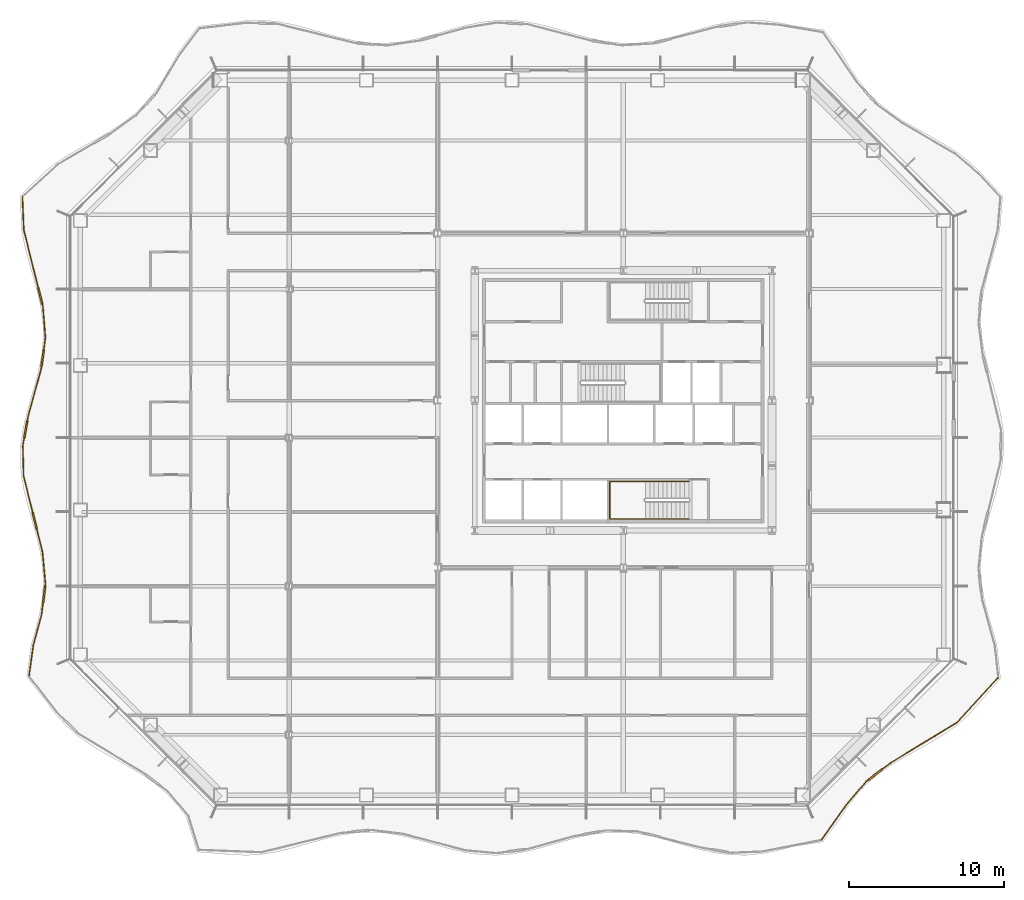
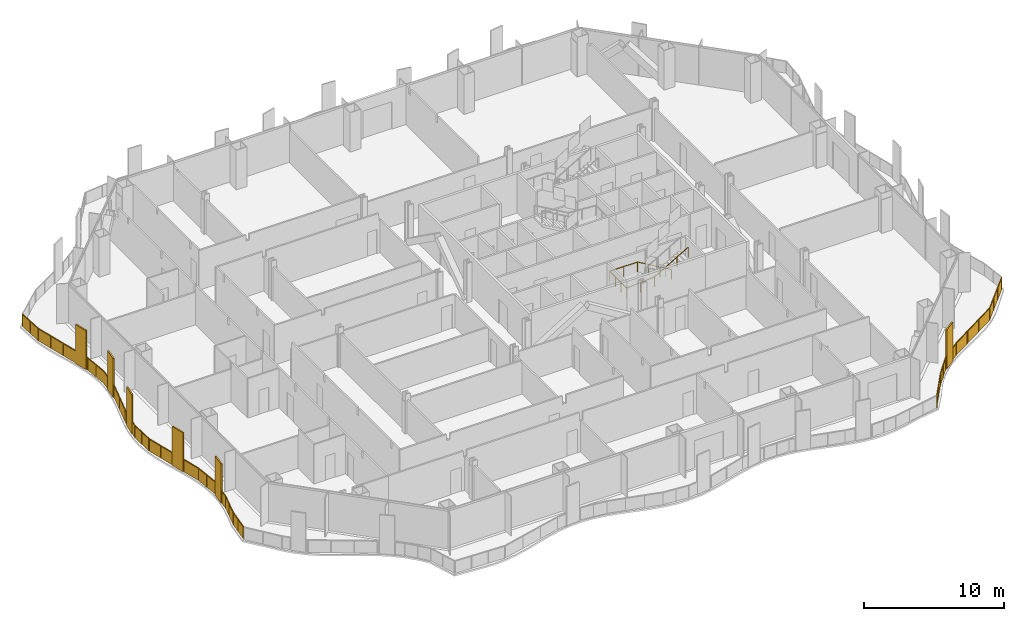
# One storey, part 14 of 18: 3 railings.
"""IFC4 building model written with IfcOpenShell, lengths in metres."""

from ifc_helpers import new_model, si_unit, direction, frame, origin, origin_2d, place, context, subcontext, project, spatial, polyline, rectangle, outline, extrude, material, type_object, element, save


model = new_model("IFC4")

# Units and contexts
model_context = context("Model", 3, precision=1e-05, world=origin(), true_north=direction((0.0, 1.0)))
body_context = subcontext(model_context, "Body", "Model", "MODEL_VIEW")
ifc_project = project(units=[si_unit("LENGTHUNIT", "METRE"), si_unit("AREAUNIT", "SQUARE_METRE"), si_unit("VOLUMEUNIT", "CUBIC_METRE"), si_unit("PLANEANGLEUNIT", "RADIAN"), si_unit("MASSUNIT", "GRAM", prefix="KILO")], contexts=[model_context])

# Site, building, storey
site_placement = place(None, origin())
site = spatial("IfcSite", under=ifc_project, at=site_placement, CompositionType="ELEMENT")
building_placement = place(site_placement, origin())
building = spatial("IfcBuilding", under=site, at=building_placement, Name="Cairn Pilgrim Tower", CompositionType="ELEMENT")
storey_placement = place(building_placement, frame((0.0, 0.0, 76.199951171875)))
storey = spatial("IfcBuildingStorey", under=building, at=storey_placement, Name="L17", CompositionType="ELEMENT", Elevation=76.199951171875)

# Railings
ifc_material_1 = material(Name="Bronze anodised aluminium rail, posts and fin screens with laminated glass infill", Category="aluminium")
railing_type_1 = type_object("IfcRailingType", Name="BALCONY GUARD WITH FIN SCREENS", PredefinedType="GUARDRAIL", material=ifc_material_1)
railing_1_placement = place(storey_placement, frame((19.995849609375, -25.996826171875, 0.0)))
element("IfcRailing", 1, at=railing_1_placement, inside=storey, type_object=railing_type_1, Name="Balcony guard BGF-2 with fin screens", PredefinedType="GUARDRAIL", context=body_context, shape_type="SweptSolid", body=[
    extrude(rectangle(XDim=0.050048828125, YDim=0.050048828125, at=origin_2d()), frame((0.0, 0.0, 1.0751953125), z_axis=(0.578901701454, 0.815397338758, 0.0), x_axis=(-0.815397338758, 0.578901701454, 0.0)), (0.0, 0.0, 1.0), 2.81005859375),
    extrude(rectangle(XDim=0.050048828125, YDim=0.050048828125, at=origin_2d()), frame((1.626708984375, 2.291259765625, 1.0751953125), z_axis=(0.650678985277, 0.759352920663, 0.0), x_axis=(-0.759352920663, 0.650678985277, 0.0)), (0.0, 0.0, 1.0), 1.968017578125),
    extrude(rectangle(XDim=1.10009765625, YDim=0.110107421875, at=origin_2d()), frame((3.464111328125, 4.209716796875, 0.0), z_axis=(0.0, 0.0, 1.0), x_axis=(0.79566082204, 0.605742400918, 0.0)), (0.0, 0.0, 1.0), 3.39990234375),
    extrude(rectangle(XDim=0.050048828125, YDim=0.050048828125, at=origin_2d()), frame((2.9072265625, 3.78564453125, 1.0751953125), z_axis=(0.79566082204, 0.605742400918, 0.0), x_axis=(-0.605742400918, 0.79566082204, 0.0)), (0.0, 0.0, 1.0), 0.150146484375),
    extrude(rectangle(XDim=0.050048828125, YDim=0.050048828125, at=origin_2d()), frame((3.90185546875, 4.542724609375, 1.0751953125), z_axis=(0.79566082204, 0.605742400918, 0.0), x_axis=(-0.605742400918, 0.79566082204, 0.0)), (0.0, 0.0, 1.0), 0.73095703125),
    extrude(rectangle(XDim=0.050048828125, YDim=0.050048828125, at=origin_2d()), frame((4.4833984375, 4.985595703125, 1.0751953125), z_axis=(0.854566756573, 0.51934156252, 0.0), x_axis=(-0.51934156252, 0.854566756573, 0.0)), (0.0, 0.0, 1.0), 4.977783203125),
    extrude(rectangle(XDim=0.050048828125, YDim=0.050048828125, at=origin_2d()), frame((8.7373046875, 7.57080078125, 1.0751953125), z_axis=(0.677819136403, 0.735228684373, 0.0), x_axis=(-0.735228684373, 0.677819136403, 0.0)), (0.0, 0.0, 1.0), 3.916748046875),
    extrude(rectangle(XDim=0.050048828125, YDim=0.050048828125, at=origin_2d()), origin(), (0.0, 0.0, 1.0), 1.050048828125),
    extrude(rectangle(XDim=0.050048828125, YDim=0.050048828125, at=origin_2d()), frame((0.8134765625, 1.1455078125, 0.0)), (0.0, 0.0, 1.0), 1.050048828125),
    extrude(rectangle(XDim=0.050048828125, YDim=0.050048828125, at=origin_2d()), frame((1.626708984375, 2.291259765625, 0.0)), (0.0, 0.0, 1.0), 1.050048828125),
    extrude(rectangle(XDim=0.050048828125, YDim=0.050048828125, at=origin_2d()), frame((2.26708984375, 3.03857421875, 0.0)), (0.0, 0.0, 1.0), 1.050048828125),
    extrude(rectangle(XDim=0.050048828125, YDim=0.050048828125, at=origin_2d()), frame((2.9072265625, 3.78564453125, 0.0)), (0.0, 0.0, 1.0), 1.050048828125),
    extrude(rectangle(XDim=0.050048828125, YDim=0.050048828125, at=origin_2d()), frame((3.006591796875, 3.861328125, 0.0)), (0.0, 0.0, 1.0), 1.050048828125),
    extrude(rectangle(XDim=0.050048828125, YDim=0.050048828125, at=origin_2d()), frame((3.921630859375, 4.55810546875, 0.0)), (0.0, 0.0, 1.0), 1.050048828125),
    extrude(rectangle(XDim=0.050048828125, YDim=0.050048828125, at=origin_2d()), frame((4.4833984375, 4.985595703125, 0.0)), (0.0, 0.0, 1.0), 1.050048828125),
    extrude(rectangle(XDim=0.050048828125, YDim=0.050048828125, at=origin_2d()), frame((5.9013671875, 5.847412109375, 0.0)), (0.0, 0.0, 1.0), 1.050048828125),
    extrude(rectangle(XDim=0.050048828125, YDim=0.050048828125, at=origin_2d()), frame((7.3193359375, 6.708984375, 0.0)), (0.0, 0.0, 1.0), 1.050048828125),
    extrude(rectangle(XDim=0.050048828125, YDim=0.050048828125, at=origin_2d()), frame((8.7373046875, 7.57080078125, 0.0)), (0.0, 0.0, 1.0), 1.050048828125),
    extrude(rectangle(XDim=0.050048828125, YDim=0.050048828125, at=origin_2d()), frame((9.622314453125, 8.53076171875, 0.0)), (0.0, 0.0, 1.0), 1.050048828125),
    extrude(rectangle(XDim=0.050048828125, YDim=0.050048828125, at=origin_2d()), frame((10.507080078125, 9.490478515625, 0.0)), (0.0, 0.0, 1.0), 1.050048828125),
    extrude(rectangle(XDim=0.050048828125, YDim=0.050048828125, at=origin_2d()), frame((11.39208984375, 10.450439453125, 0.0)), (0.0, 0.0, 1.0), 1.050048828125),
    extrude(outline(polyline([(0.02490234375, 0.0), (1.3798828125, 0.0), (1.3798828125, 1.050048828125), (0.02490234375, 1.050048828125), (0.02490234375, 0.0)])), frame((-0.0048828125, 0.00341796875, 0.0), z_axis=(0.815397338758, -0.578901701454, 0.0), x_axis=(0.578901701454, 0.815397338758, 0.0)), (0.0, 0.0, 1.0), 0.011962890625),
    extrude(outline(polyline([(0.02490234375, 0.0), (1.3798828125, 0.0), (1.3798828125, 1.050048828125), (0.02490234375, 1.050048828125), (0.02490234375, 0.0)])), frame((0.80859375, 1.149169921875, 0.0), z_axis=(0.815397338758, -0.578901701454, 0.0), x_axis=(0.578901701454, 0.815397338758, 0.0)), (0.0, 0.0, 1.0), 0.011962890625),
    extrude(outline(polyline([(0.02490234375, 0.0), (0.958984375, 0.0), (0.958984375, 1.050048828125), (0.02490234375, 1.050048828125), (0.02490234375, 0.0)])), frame((1.6220703125, 2.295166015625, 0.0), z_axis=(0.759352920663, -0.650678985277, 0.0), x_axis=(0.650678985277, 0.759352920663, 0.0)), (0.0, 0.0, 1.0), 0.011962890625),
    extrude(outline(polyline([(0.02490234375, 0.0), (0.958984375, 0.0), (0.958984375, 1.050048828125), (0.02490234375, 1.050048828125), (0.02490234375, 0.0)])), frame((2.262451171875, 3.042236328125, 0.0), z_axis=(0.759352920663, -0.650678985277, 0.0), x_axis=(0.650678985277, 0.759352920663, 0.0)), (0.0, 0.0, 1.0), 0.011962890625),
    extrude(outline(polyline([(0.02490234375, 0.0), (0.10009765625, 0.0), (0.10009765625, 1.050048828125), (0.02490234375, 1.050048828125), (0.02490234375, 0.0)])), frame((2.903564453125, 3.790283203125, 0.0), z_axis=(0.605742400918, -0.79566082204, 0.0), x_axis=(0.79566082204, 0.605742400918, 0.0)), (0.0, 0.0, 1.0), 0.011962890625),
    extrude(outline(polyline([(0.02490234375, 0.0), (0.680908203125, 0.0), (0.680908203125, 1.050048828125), (0.02490234375, 1.050048828125), (0.02490234375, 0.0)])), frame((3.918212890625, 4.562744140625, 0.0), z_axis=(0.605742400918, -0.79566082204, 0.0), x_axis=(0.79566082204, 0.605742400918, 0.0)), (0.0, 0.0, 1.0), 0.011962890625),
    extrude(outline(polyline([(0.02490234375, 0.0), (1.63427734375, 0.0), (1.63427734375, 1.050048828125), (0.02490234375, 1.050048828125), (0.02490234375, 0.0)])), frame((4.480224609375, 4.99072265625, 0.0), z_axis=(0.51934156252, -0.854566756573, 0.0), x_axis=(0.854566756573, 0.51934156252, 0.0)), (0.0, 0.0, 1.0), 0.011962890625),
    extrude(outline(polyline([(0.02490234375, 0.0), (1.63427734375, 0.0), (1.63427734375, 1.050048828125), (0.02490234375, 1.050048828125), (0.02490234375, 0.0)])), frame((5.898193359375, 5.8525390625, 0.0), z_axis=(0.51934156252, -0.854566756573, 0.0), x_axis=(0.854566756573, 0.51934156252, 0.0)), (0.0, 0.0, 1.0), 0.011962890625),
    extrude(outline(polyline([(0.02490234375, 0.0), (1.63427734375, 0.0), (1.63427734375, 1.050048828125), (0.02490234375, 1.050048828125), (0.02490234375, 0.0)])), frame((7.316162109375, 6.714111328125, 0.0), z_axis=(0.51934156252, -0.854566756573, 0.0), x_axis=(0.854566756573, 0.51934156252, 0.0)), (0.0, 0.0, 1.0), 0.011962890625),
    extrude(outline(polyline([(0.02490234375, 0.0), (1.280517578125, 0.0), (1.280517578125, 1.050048828125), (0.02490234375, 1.050048828125), (0.02490234375, 0.0)])), frame((8.73291015625, 7.574951171875, 0.0), z_axis=(0.735228684373, -0.677819136403, 0.0), x_axis=(0.677819136403, 0.735228684373, 0.0)), (0.0, 0.0, 1.0), 0.011962890625),
    extrude(outline(polyline([(0.02490234375, 0.0), (1.280517578125, 0.0), (1.280517578125, 1.050048828125), (0.02490234375, 1.050048828125), (0.02490234375, 0.0)])), frame((9.617919921875, 8.53466796875, 0.0), z_axis=(0.735228684373, -0.677819136403, 0.0), x_axis=(0.677819136403, 0.735228684373, 0.0)), (0.0, 0.0, 1.0), 0.011962890625),
    extrude(outline(polyline([(0.02490234375, 0.0), (1.280517578125, 0.0), (1.280517578125, 1.050048828125), (0.02490234375, 1.050048828125), (0.02490234375, 0.0)])), frame((10.502685546875, 9.49462890625, 0.0), z_axis=(0.735228684373, -0.677819136403, 0.0), x_axis=(0.677819136403, 0.735228684373, 0.0)), (0.0, 0.0, 1.0), 0.011962890625),
])
railing_2_placement = place(storey_placement, frame((-31.640869140625, 15.57666015625, 0.0)))
element("IfcRailing", 2, at=railing_2_placement, inside=storey, type_object=railing_type_1, Name="Balcony guard BGF-7 with fin screens", PredefinedType="GUARDRAIL", context=body_context, shape_type="SweptSolid", body=[
    extrude(rectangle(XDim=0.050048828125, YDim=0.050048828125, at=origin_2d()), frame((0.0, 0.0, 1.0751953125), z_axis=(0.041446342412, -0.999140731179, 0.0), x_axis=(0.999140731179, 0.041446342412, 0.0)), (0.0, 0.0, 1.0), 2.150146484375),
    extrude(rectangle(XDim=1.10009765625, YDim=0.110107421875, at=origin_2d()), frame((1.15673828125, -6.431884765625, 0.0), z_axis=(0.0, 0.0, 1.0), x_axis=(0.24186169283, -0.970310734528, 0.0)), (0.0, 0.0, 1.0), 3.39990234375),
    extrude(rectangle(XDim=0.050048828125, YDim=0.050048828125, at=origin_2d()), frame((0.089111328125, -2.148193359375, 1.0751953125), z_axis=(0.24186169283, -0.970310734528, 0.0), x_axis=(0.970310734528, 0.24186169283, 0.0)), (0.0, 0.0, 1.0), 3.86474609375),
    extrude(rectangle(XDim=0.050048828125, YDim=0.050048828125, at=origin_2d()), frame((1.289794921875, -6.965576171875, 1.0751953125), z_axis=(0.24186169283, -0.970310734528, 0.0), x_axis=(0.970310734528, 0.24186169283, 0.0)), (0.0, 0.0, 1.0), 0.150146484375),
    extrude(rectangle(XDim=0.050048828125, YDim=0.050048828125, at=origin_2d()), frame((1.326171875, -7.111083984375, 1.0751953125), z_axis=(0.079726017658, -0.99681681472, 0.0), x_axis=(0.99681681472, 0.079726017658, 0.0)), (0.0, 0.0, 1.0), 2.02099609375),
    extrude(rectangle(XDim=1.10009765625, YDim=0.110107421875, at=origin_2d()), frame((1.306396484375, -10.4443359375, 0.0), z_axis=(0.0, 0.0, 1.0), x_axis=(-0.135831962599, -0.990731890037, 0.0)), (0.0, 0.0, 1.0), 3.39990234375),
    extrude(rectangle(XDim=0.050048828125, YDim=0.050048828125, at=origin_2d()), frame((1.4873046875, -9.125732421875, 1.0751953125), z_axis=(-0.135831962599, -0.990731890037, 0.0), x_axis=(0.990731890037, -0.135831962599, 0.0)), (0.0, 0.0, 1.0), 0.781005859375),
    extrude(rectangle(XDim=0.050048828125, YDim=0.050048828125, at=origin_2d()), frame((1.231689453125, -10.9892578125, 1.0751953125), z_axis=(-0.135831962599, -0.990731890037, 0.0), x_axis=(0.990731890037, -0.135831962599, 0.0)), (0.0, 0.0, 1.0), 0.14990234375),
    extrude(rectangle(XDim=0.050048828125, YDim=0.050048828125, at=origin_2d()), frame((1.21142578125, -11.137939453125, 1.0751953125), z_axis=(-0.266646863362, -0.963794298727, 0.0), x_axis=(0.963794298727, -0.266646863362, 0.0)), (0.0, 0.0, 1.0), 3.0947265625),
    extrude(rectangle(XDim=1.10009765625, YDim=0.110107421875, at=origin_2d()), frame((0.2158203125, -15.048583984375, 0.0), z_axis=(0.0, 0.0, 1.0), x_axis=(-0.180552572707, -0.98356533514, 0.0)), (0.0, 0.0, 1.0), 3.39990234375),
    extrude(rectangle(XDim=0.050048828125, YDim=0.050048828125, at=origin_2d()), frame((0.38623046875, -14.12060546875, 1.0751953125), z_axis=(-0.180552572707, -0.98356533514, 0.0), x_axis=(0.98356533514, -0.180552572707, 0.0)), (0.0, 0.0, 1.0), 0.3935546875),
    extrude(rectangle(XDim=0.050048828125, YDim=0.050048828125, at=origin_2d()), frame((0.116455078125, -15.589599609375, 1.0751953125), z_axis=(-0.180552572707, -0.98356533514, 0.0), x_axis=(0.98356533514, -0.180552572707, 0.0)), (0.0, 0.0, 1.0), 0.503662109375),
    extrude(rectangle(XDim=0.050048828125, YDim=0.050048828125, at=origin_2d()), frame((0.025634765625, -16.0849609375, 1.0751953125), z_axis=(0.024602170168, -0.999697320804, 0.0), x_axis=(0.999697320804, 0.024602170168, 0.0)), (0.0, 0.0, 1.0), 1.954833984375),
    extrude(rectangle(XDim=1.10009765625, YDim=0.110107421875, at=origin_2d()), frame((0.79541015625, -20.946533203125, 0.0), z_axis=(0.0, 0.0, 1.0), x_axis=(0.240939300166, -0.970540186512, 0.0)), (0.0, 0.0, 1.0), 3.39990234375),
    extrude(rectangle(XDim=0.050048828125, YDim=0.050048828125, at=origin_2d()), frame((0.07373046875, -18.039306640625, 1.0751953125), z_axis=(0.240939300166, -0.970540186512, 0.0), x_axis=(0.970540186512, 0.240939300166, 0.0)), (0.0, 0.0, 1.0), 2.4453125),
    extrude(rectangle(XDim=0.050048828125, YDim=0.050048828125, at=origin_2d()), frame((0.927978515625, -21.480224609375, 1.0751953125), z_axis=(0.240939300166, -0.970540186512, 0.0), x_axis=(0.970540186512, 0.240939300166, 0.0)), (0.0, 0.0, 1.0), 1.565673828125),
    extrude(rectangle(XDim=0.050048828125, YDim=0.050048828125, at=origin_2d()), frame((1.30517578125, -22.999755859375, 1.0751953125), z_axis=(0.091504417524, -0.995804670392, 0.0), x_axis=(0.995804670392, 0.091504417524, 0.0)), (0.0, 0.0, 1.0), 2.0224609375),
    extrude(rectangle(XDim=1.10009765625, YDim=0.110107421875, at=origin_2d()), frame((1.40283203125, -25.708251953125, 0.0), z_axis=(0.0, 0.0, 1.0), x_axis=(-0.125041893464, -0.99215146267, 0.0)), (0.0, 0.0, 1.0), 3.39990234375),
    extrude(rectangle(XDim=0.050048828125, YDim=0.050048828125, at=origin_2d()), frame((1.490234375, -25.013671875, 1.0751953125), z_axis=(-0.125041893464, -0.99215146267, 0.0), x_axis=(0.99215146267, -0.125041893464, 0.0)), (0.0, 0.0, 1.0), 0.14990234375),
    extrude(rectangle(XDim=0.050048828125, YDim=0.050048828125, at=origin_2d()), frame((1.333984375, -26.25390625, 1.0751953125), z_axis=(-0.125041893464, -0.99215146267, 0.0), x_axis=(0.99215146267, -0.125041893464, 0.0)), (0.0, 0.0, 1.0), 0.778564453125),
    extrude(rectangle(XDim=0.050048828125, YDim=0.050048828125, at=origin_2d()), frame((1.236572265625, -27.0263671875, 1.0751953125), z_axis=(-0.261601910186, -0.965175859928, 0.0), x_axis=(0.965175859928, -0.261601910186, 0.0)), (0.0, 0.0, 1.0), 2.058837890625),
    extrude(rectangle(XDim=0.050048828125, YDim=0.050048828125, at=origin_2d()), frame((0.697998046875, -29.013427734375, 1.0751953125), z_axis=(-0.135566913503, -0.99076819285, 0.0), x_axis=(0.99076819285, -0.135566913503, 0.0)), (0.0, 0.0, 1.0), 1.945068359375),
    extrude(rectangle(XDim=0.050048828125, YDim=0.050048828125, at=origin_2d()), origin(), (0.0, 0.0, 1.0), 1.050048828125),
    extrude(rectangle(XDim=0.050048828125, YDim=0.050048828125, at=origin_2d()), frame((0.04443359375, -1.07421875, 0.0)), (0.0, 0.0, 1.0), 1.050048828125),
    extrude(rectangle(XDim=0.050048828125, YDim=0.050048828125, at=origin_2d()), frame((0.089111328125, -2.148193359375, 0.0)), (0.0, 0.0, 1.0), 1.050048828125),
    extrude(rectangle(XDim=0.050048828125, YDim=0.050048828125, at=origin_2d()), frame((0.398681640625, -3.39013671875, 0.0)), (0.0, 0.0, 1.0), 1.050048828125),
    extrude(rectangle(XDim=0.050048828125, YDim=0.050048828125, at=origin_2d()), frame((0.708251953125, -4.6318359375, 0.0)), (0.0, 0.0, 1.0), 1.050048828125),
    extrude(rectangle(XDim=0.050048828125, YDim=0.050048828125, at=origin_2d()), frame((1.017822265625, -5.873779296875, 0.0)), (0.0, 0.0, 1.0), 1.050048828125),
    extrude(rectangle(XDim=0.050048828125, YDim=0.050048828125, at=origin_2d()), frame((1.2958984375, -6.98974609375, 0.0)), (0.0, 0.0, 1.0), 1.050048828125),
    extrude(rectangle(XDim=0.050048828125, YDim=0.050048828125, at=origin_2d()), frame((1.326171875, -7.111083984375, 0.0)), (0.0, 0.0, 1.0), 1.050048828125),
    extrude(rectangle(XDim=0.050048828125, YDim=0.050048828125, at=origin_2d()), frame((1.40673828125, -8.118408203125, 0.0)), (0.0, 0.0, 1.0), 1.050048828125),
    extrude(rectangle(XDim=0.050048828125, YDim=0.050048828125, at=origin_2d()), frame((1.4873046875, -9.125732421875, 0.0)), (0.0, 0.0, 1.0), 1.050048828125),
    extrude(rectangle(XDim=0.050048828125, YDim=0.050048828125, at=origin_2d()), frame((1.384521484375, -9.874755859375, 0.0)), (0.0, 0.0, 1.0), 1.050048828125),
    extrude(rectangle(XDim=0.050048828125, YDim=0.050048828125, at=origin_2d()), frame((1.228515625, -11.01416015625, 0.0)), (0.0, 0.0, 1.0), 1.050048828125),
    extrude(rectangle(XDim=0.050048828125, YDim=0.050048828125, at=origin_2d()), frame((1.21142578125, -11.137939453125, 0.0)), (0.0, 0.0, 1.0), 1.050048828125),
    extrude(rectangle(XDim=0.050048828125, YDim=0.050048828125, at=origin_2d()), frame((0.798828125, -12.62939453125, 0.0)), (0.0, 0.0, 1.0), 1.050048828125),
    extrude(rectangle(XDim=0.050048828125, YDim=0.050048828125, at=origin_2d()), frame((0.38623046875, -14.12060546875, 0.0)), (0.0, 0.0, 1.0), 1.050048828125),
    extrude(rectangle(XDim=0.050048828125, YDim=0.050048828125, at=origin_2d()), frame((0.319580078125, -14.483154296875, 0.0)), (0.0, 0.0, 1.0), 1.050048828125),
    extrude(rectangle(XDim=0.050048828125, YDim=0.050048828125, at=origin_2d()), frame((0.112060546875, -15.6142578125, 0.0)), (0.0, 0.0, 1.0), 1.050048828125),
    extrude(rectangle(XDim=0.050048828125, YDim=0.050048828125, at=origin_2d()), frame((0.025634765625, -16.0849609375, 0.0)), (0.0, 0.0, 1.0), 1.050048828125),
    extrude(rectangle(XDim=0.050048828125, YDim=0.050048828125, at=origin_2d()), frame((0.0498046875, -17.06201171875, 0.0)), (0.0, 0.0, 1.0), 1.050048828125),
    extrude(rectangle(XDim=0.050048828125, YDim=0.050048828125, at=origin_2d()), frame((0.07373046875, -18.039306640625, 0.0)), (0.0, 0.0, 1.0), 1.050048828125),
    extrude(rectangle(XDim=0.050048828125, YDim=0.050048828125, at=origin_2d()), frame((0.365234375, -19.2138671875, 0.0)), (0.0, 0.0, 1.0), 1.050048828125),
    extrude(rectangle(XDim=0.050048828125, YDim=0.050048828125, at=origin_2d()), frame((0.656982421875, -20.388427734375, 0.0)), (0.0, 0.0, 1.0), 1.050048828125),
    extrude(rectangle(XDim=0.050048828125, YDim=0.050048828125, at=origin_2d()), frame((0.93408203125, -21.504638671875, 0.0)), (0.0, 0.0, 1.0), 1.050048828125),
    extrude(rectangle(XDim=0.050048828125, YDim=0.050048828125, at=origin_2d()), frame((1.30517578125, -22.999755859375, 0.0)), (0.0, 0.0, 1.0), 1.050048828125),
    extrude(rectangle(XDim=0.050048828125, YDim=0.050048828125, at=origin_2d()), frame((1.397705078125, -24.0068359375, 0.0)), (0.0, 0.0, 1.0), 1.050048828125),
    extrude(rectangle(XDim=0.050048828125, YDim=0.050048828125, at=origin_2d()), frame((1.490234375, -25.013671875, 0.0)), (0.0, 0.0, 1.0), 1.050048828125),
    extrude(rectangle(XDim=0.050048828125, YDim=0.050048828125, at=origin_2d()), frame((1.474609375, -25.1376953125, 0.0)), (0.0, 0.0, 1.0), 1.050048828125),
    extrude(rectangle(XDim=0.050048828125, YDim=0.050048828125, at=origin_2d()), frame((1.330810546875, -26.278564453125, 0.0)), (0.0, 0.0, 1.0), 1.050048828125),
    extrude(rectangle(XDim=0.050048828125, YDim=0.050048828125, at=origin_2d()), frame((1.236572265625, -27.0263671875, 0.0)), (0.0, 0.0, 1.0), 1.050048828125),
    extrude(rectangle(XDim=0.050048828125, YDim=0.050048828125, at=origin_2d()), frame((0.96728515625, -28.02001953125, 0.0)), (0.0, 0.0, 1.0), 1.050048828125),
    extrude(rectangle(XDim=0.050048828125, YDim=0.050048828125, at=origin_2d()), frame((0.697998046875, -29.013427734375, 0.0)), (0.0, 0.0, 1.0), 1.050048828125),
    extrude(rectangle(XDim=0.050048828125, YDim=0.050048828125, at=origin_2d()), frame((0.566162109375, -29.97705078125, 0.0)), (0.0, 0.0, 1.0), 1.050048828125),
    extrude(rectangle(XDim=0.050048828125, YDim=0.050048828125, at=origin_2d()), frame((0.434326171875, -30.9404296875, 0.0)), (0.0, 0.0, 1.0), 1.050048828125),
    extrude(outline(polyline([(0.02490234375, 0.0), (1.050048828125, 0.0), (1.050048828125, 1.050048828125), (0.02490234375, 1.050048828125), (0.02490234375, 0.0)])), frame((0.005859375, 0.000244140625, 0.0), z_axis=(-0.999140731179, -0.041446342412, 0.0), x_axis=(0.041446342412, -0.999140731179, 0.0)), (0.0, 0.0, 1.0), 0.011962890625),
    extrude(outline(polyline([(0.02490234375, 0.0), (1.050048828125, 0.0), (1.050048828125, 1.050048828125), (0.02490234375, 1.050048828125), (0.02490234375, 0.0)])), frame((0.050537109375, -1.07373046875, 0.0), z_axis=(-0.999140731179, -0.041446342412, 0.0), x_axis=(0.041446342412, -0.999140731179, 0.0)), (0.0, 0.0, 1.0), 0.011962890625),
    extrude(outline(polyline([(0.02490234375, 0.0), (1.2548828125, 0.0), (1.2548828125, 1.050048828125), (0.02490234375, 1.050048828125), (0.02490234375, 0.0)])), frame((0.094970703125, -2.146728515625, 0.0), z_axis=(-0.970310734528, -0.24186169283, 0.0), x_axis=(0.24186169283, -0.970310734528, 0.0)), (0.0, 0.0, 1.0), 0.011962890625),
    extrude(outline(polyline([(0.02490234375, 0.0), (1.2548828125, 0.0), (1.2548828125, 1.050048828125), (0.02490234375, 1.050048828125), (0.02490234375, 0.0)])), frame((0.404541015625, -3.388671875, 0.0), z_axis=(-0.970310734528, -0.24186169283, 0.0), x_axis=(0.24186169283, -0.970310734528, 0.0)), (0.0, 0.0, 1.0), 0.011962890625),
    extrude(outline(polyline([(0.02490234375, 0.0), (1.2548828125, 0.0), (1.2548828125, 1.050048828125), (0.02490234375, 1.050048828125), (0.02490234375, 0.0)])), frame((0.714111328125, -4.630615234375, 0.0), z_axis=(-0.970310734528, -0.24186169283, 0.0), x_axis=(0.24186169283, -0.970310734528, 0.0)), (0.0, 0.0, 1.0), 0.011962890625),
    extrude(outline(polyline([(0.02490234375, 0.0), (0.10009765625, 0.0), (0.10009765625, 1.050048828125), (0.02490234375, 1.050048828125), (0.02490234375, 0.0)])), frame((1.3017578125, -6.98828125, 0.0), z_axis=(-0.970310734528, -0.24186169283, 0.0), x_axis=(0.24186169283, -0.970310734528, 0.0)), (0.0, 0.0, 1.0), 0.011962890625),
    extrude(outline(polyline([(0.02490234375, 0.0), (0.985595703125, 0.0), (0.985595703125, 1.050048828125), (0.02490234375, 1.050048828125), (0.02490234375, 0.0)])), frame((1.33203125, -7.110595703125, 0.0), z_axis=(-0.99681681472, -0.079726017658, 0.0), x_axis=(0.079726017658, -0.99681681472, 0.0)), (0.0, 0.0, 1.0), 0.011962890625),
    extrude(outline(polyline([(0.02490234375, 0.0), (0.985595703125, 0.0), (0.985595703125, 1.050048828125), (0.02490234375, 1.050048828125), (0.02490234375, 0.0)])), frame((1.41259765625, -8.117919921875, 0.0), z_axis=(-0.99681681472, -0.079726017658, 0.0), x_axis=(0.079726017658, -0.99681681472, 0.0)), (0.0, 0.0, 1.0), 0.011962890625),
    extrude(outline(polyline([(0.02490234375, 0.0), (0.73095703125, 0.0), (0.73095703125, 1.050048828125), (0.02490234375, 1.050048828125), (0.02490234375, 0.0)])), frame((1.4931640625, -9.12646484375, 0.0), z_axis=(-0.990731890037, 0.135831962599, 0.0), x_axis=(-0.135831962599, -0.990731890037, 0.0)), (0.0, 0.0, 1.0), 0.011962890625),
    extrude(outline(polyline([(0.02490234375, 0.0), (0.099853515625, 0.0), (0.099853515625, 1.050048828125), (0.02490234375, 1.050048828125), (0.02490234375, 0.0)])), frame((1.234375, -11.014892578125, 0.0), z_axis=(-0.990731890037, 0.135831962599, 0.0), x_axis=(-0.135831962599, -0.990731890037, 0.0)), (0.0, 0.0, 1.0), 0.011962890625),
    extrude(outline(polyline([(0.02490234375, 0.0), (1.522216796875, 0.0), (1.522216796875, 1.050048828125), (0.02490234375, 1.050048828125), (0.02490234375, 0.0)])), frame((1.21728515625, -11.1396484375, 0.0), z_axis=(-0.963794298727, 0.266646863362, 0.0), x_axis=(-0.266646863362, -0.963794298727, 0.0)), (0.0, 0.0, 1.0), 0.011962890625),
    extrude(outline(polyline([(0.02490234375, 0.0), (1.522216796875, 0.0), (1.522216796875, 1.050048828125), (0.02490234375, 1.050048828125), (0.02490234375, 0.0)])), frame((0.8046875, -12.630859375, 0.0), z_axis=(-0.963794298727, 0.266646863362, 0.0), x_axis=(-0.266646863362, -0.963794298727, 0.0)), (0.0, 0.0, 1.0), 0.011962890625),
    extrude(outline(polyline([(0.02490234375, 0.0), (0.343505859375, 0.0), (0.343505859375, 1.050048828125), (0.02490234375, 1.050048828125), (0.02490234375, 0.0)])), frame((0.39208984375, -14.12158203125, 0.0), z_axis=(-0.98356533514, 0.180552572707, 0.0), x_axis=(-0.180552572707, -0.98356533514, 0.0)), (0.0, 0.0, 1.0), 0.011962890625),
    extrude(outline(polyline([(0.02490234375, 0.0), (0.45361328125, 0.0), (0.45361328125, 1.050048828125), (0.02490234375, 1.050048828125), (0.02490234375, 0.0)])), frame((0.117919921875, -15.615234375, 0.0), z_axis=(-0.98356533514, 0.180552572707, 0.0), x_axis=(-0.180552572707, -0.98356533514, 0.0)), (0.0, 0.0, 1.0), 0.011962890625),
    extrude(outline(polyline([(0.02490234375, 0.0), (0.952392578125, 0.0), (0.952392578125, 1.050048828125), (0.02490234375, 1.050048828125), (0.02490234375, 0.0)])), frame((0.031494140625, -16.084716796875, 0.0), z_axis=(-0.999697320804, -0.024602170168, 0.0), x_axis=(0.024602170168, -0.999697320804, 0.0)), (0.0, 0.0, 1.0), 0.011962890625),
    extrude(outline(polyline([(0.02490234375, 0.0), (0.952392578125, 0.0), (0.952392578125, 1.050048828125), (0.02490234375, 1.050048828125), (0.02490234375, 0.0)])), frame((0.0556640625, -17.06201171875, 0.0), z_axis=(-0.999697320804, -0.024602170168, 0.0), x_axis=(0.024602170168, -0.999697320804, 0.0)), (0.0, 0.0, 1.0), 0.011962890625),
    extrude(outline(polyline([(0.02490234375, 0.0), (1.18505859375, 0.0), (1.18505859375, 1.050048828125), (0.02490234375, 1.050048828125), (0.02490234375, 0.0)])), frame((0.07958984375, -18.037841796875, 0.0), z_axis=(-0.970540186512, -0.240939300166, 0.0), x_axis=(0.240939300166, -0.970540186512, 0.0)), (0.0, 0.0, 1.0), 0.011962890625),
    extrude(outline(polyline([(0.02490234375, 0.0), (1.18505859375, 0.0), (1.18505859375, 1.050048828125), (0.02490234375, 1.050048828125), (0.02490234375, 0.0)])), frame((0.37109375, -19.21240234375, 0.0), z_axis=(-0.970540186512, -0.240939300166, 0.0), x_axis=(0.240939300166, -0.970540186512, 0.0)), (0.0, 0.0, 1.0), 0.011962890625),
    extrude(outline(polyline([(0.02490234375, 0.0), (1.515625, 0.0), (1.515625, 1.050048828125), (0.02490234375, 1.050048828125), (0.02490234375, 0.0)])), frame((0.939697265625, -21.503173828125, 0.0), z_axis=(-0.970540186512, -0.240939300166, 0.0), x_axis=(0.240939300166, -0.970540186512, 0.0)), (0.0, 0.0, 1.0), 0.011962890625),
    extrude(outline(polyline([(0.02490234375, 0.0), (0.986083984375, 0.0), (0.986083984375, 1.050048828125), (0.02490234375, 1.050048828125), (0.02490234375, 0.0)])), frame((1.31103515625, -22.999267578125, 0.0), z_axis=(-0.995804670392, -0.091504417524, 0.0), x_axis=(0.091504417524, -0.995804670392, 0.0)), (0.0, 0.0, 1.0), 0.011962890625),
    extrude(outline(polyline([(0.02490234375, 0.0), (0.986083984375, 0.0), (0.986083984375, 1.050048828125), (0.02490234375, 1.050048828125), (0.02490234375, 0.0)])), frame((1.403564453125, -24.006103515625, 0.0), z_axis=(-0.995804670392, -0.091504417524, 0.0), x_axis=(0.091504417524, -0.995804670392, 0.0)), (0.0, 0.0, 1.0), 0.011962890625),
    extrude(outline(polyline([(0.02490234375, 0.0), (0.099853515625, 0.0), (0.099853515625, 1.050048828125), (0.02490234375, 1.050048828125), (0.02490234375, 0.0)])), frame((1.49609375, -25.014404296875, 0.0), z_axis=(-0.99215146267, 0.125041893464, 0.0), x_axis=(-0.125041893464, -0.99215146267, 0.0)), (0.0, 0.0, 1.0), 0.011962890625),
    extrude(outline(polyline([(0.02490234375, 0.0), (0.728515625, 0.0), (0.728515625, 1.050048828125), (0.02490234375, 1.050048828125), (0.02490234375, 0.0)])), frame((1.336669921875, -26.279296875, 0.0), z_axis=(-0.99215146267, 0.125041893464, 0.0), x_axis=(-0.125041893464, -0.99215146267, 0.0)), (0.0, 0.0, 1.0), 0.011962890625),
    extrude(outline(polyline([(0.02490234375, 0.0), (1.00439453125, 0.0), (1.00439453125, 1.050048828125), (0.02490234375, 1.050048828125), (0.02490234375, 0.0)])), frame((1.242431640625, -27.02783203125, 0.0), z_axis=(-0.965175859928, 0.261601910186, 0.0), x_axis=(-0.261601910186, -0.965175859928, 0.0)), (0.0, 0.0, 1.0), 0.011962890625),
    extrude(outline(polyline([(0.02490234375, 0.0), (1.00439453125, 0.0), (1.00439453125, 1.050048828125), (0.02490234375, 1.050048828125), (0.02490234375, 0.0)])), frame((0.97314453125, -28.021484375, 0.0), z_axis=(-0.965175859928, 0.261601910186, 0.0), x_axis=(-0.261601910186, -0.965175859928, 0.0)), (0.0, 0.0, 1.0), 0.011962890625),
    extrude(outline(polyline([(0.02490234375, 0.0), (0.947509765625, 0.0), (0.947509765625, 1.050048828125), (0.02490234375, 1.050048828125), (0.02490234375, 0.0)])), frame((0.703857421875, -29.01416015625, 0.0), z_axis=(-0.99076819285, 0.135566913503, 0.0), x_axis=(-0.135566913503, -0.99076819285, 0.0)), (0.0, 0.0, 1.0), 0.011962890625),
    extrude(outline(polyline([(0.02490234375, 0.0), (0.947509765625, 0.0), (0.947509765625, 1.050048828125), (0.02490234375, 1.050048828125), (0.02490234375, 0.0)])), frame((0.572021484375, -29.977783203125, 0.0), z_axis=(-0.99076819285, 0.135566913503, 0.0), x_axis=(-0.135566913503, -0.99076819285, 0.0)), (0.0, 0.0, 1.0), 0.011962890625),
])
ifc_material_2 = material(Name="Painted steel", Category="steel")
railing_type_2 = type_object("IfcRailingType", Name="STAIR HANDRAIL 900", PredefinedType="HANDRAIL", material=ifc_material_2)
railing_3_placement = place(storey_placement, frame((11.425048828125, -2.824951171875, 0.16357421875)))
element("IfcRailing", 3, at=railing_3_placement, inside=storey, type_object=railing_type_2, Name="L17 ST-A stair handrail 1", PredefinedType="HANDRAIL", context=body_context, shape_type="SweptSolid", body=[
    extrude(rectangle(XDim=0.048095703125, YDim=0.048095703125, at=origin_2d()), frame((0.0, 0.0, 0.8759765625), z_axis=(-0.863360870873, 0.0, 0.504586966384), x_axis=(0.0, -1.0, 0.0)), (0.0, 0.0, 1.0), 3.2431640625),
    extrude(rectangle(XDim=0.048095703125, YDim=0.048095703125, at=origin_2d()), frame((-2.800048828125, 0.0, 2.51220703125), z_axis=(-1.0, 0.0, 0.0), x_axis=(0.0, -1.0, 0.0)), (0.0, 0.0, 1.0), 2.300048828125),
    extrude(rectangle(XDim=0.048095703125, YDim=0.048095703125, at=origin_2d()), frame((-5.10009765625, 0.0, 2.51220703125), z_axis=(0.0, -1.0, 0.0), x_axis=(1.0, 0.0, 0.0)), (0.0, 0.0, 1.0), 2.425048828125),
    extrude(rectangle(XDim=0.048095703125, YDim=0.048095703125, at=origin_2d()), frame((-5.10009765625, -2.425048828125, 2.51220703125), z_axis=(0.997480687736, 0.0, 0.070938548008), x_axis=(0.0, 1.0, 0.0)), (0.0, 0.0, 1.0), 2.305908203125),
    extrude(rectangle(XDim=0.048095703125, YDim=0.048095703125, at=origin_2d()), frame((-2.800048828125, -2.425048828125, 2.67578125), z_axis=(0.863360870873, 0.0, 0.504586966384), x_axis=(0.0, 1.0, 0.0)), (0.0, 0.0, 1.0), 3.2431640625),
    extrude(rectangle(XDim=0.0419921875, YDim=0.0419921875, at=origin_2d()), origin(), (0.0, 0.0, 1.0), 0.851806640625),
    extrude(rectangle(XDim=0.0419921875, YDim=0.0419921875, at=origin_2d()), frame((-0.933349609375, 0.0, 0.54541015625)), (0.0, 0.0, 1.0), 0.851806640625),
    extrude(rectangle(XDim=0.0419921875, YDim=0.0419921875, at=origin_2d()), frame((-1.86669921875, 0.0, 1.091064453125)), (0.0, 0.0, 1.0), 0.851806640625),
    extrude(rectangle(XDim=0.0419921875, YDim=0.0419921875, at=origin_2d()), frame((-2.800048828125, 0.0, 1.636474609375)), (0.0, 0.0, 1.0), 0.851806640625),
    extrude(rectangle(XDim=0.0419921875, YDim=0.0419921875, at=origin_2d()), frame((-3.9501953125, 0.0, 1.636474609375)), (0.0, 0.0, 1.0), 0.851806640625),
    extrude(rectangle(XDim=0.0419921875, YDim=0.0419921875, at=origin_2d()), frame((-5.10009765625, 0.0, 1.636474609375)), (0.0, 0.0, 1.0), 0.851806640625),
    extrude(rectangle(XDim=0.0419921875, YDim=0.0419921875, at=origin_2d()), frame((-5.10009765625, -0.808349609375, 1.636474609375)), (0.0, 0.0, 1.0), 0.851806640625),
    extrude(rectangle(XDim=0.0419921875, YDim=0.0419921875, at=origin_2d()), frame((-5.10009765625, -1.61669921875, 1.636474609375)), (0.0, 0.0, 1.0), 0.851806640625),
    extrude(rectangle(XDim=0.0419921875, YDim=0.0419921875, at=origin_2d()), frame((-5.10009765625, -2.425048828125, 1.636474609375)), (0.0, 0.0, 1.0), 0.851806640625),
    extrude(rectangle(XDim=0.0419921875, YDim=0.0419921875, at=origin_2d()), frame((-3.9501953125, -2.425048828125, 1.71826171875)), (0.0, 0.0, 1.0), 0.851806640625),
    extrude(rectangle(XDim=0.0419921875, YDim=0.0419921875, at=origin_2d()), frame((-2.800048828125, -2.425048828125, 1.800048828125)), (0.0, 0.0, 1.0), 0.851806640625),
    extrude(rectangle(XDim=0.0419921875, YDim=0.0419921875, at=origin_2d()), frame((-1.86669921875, -2.425048828125, 2.345458984375)), (0.0, 0.0, 1.0), 0.851806640625),
    extrude(rectangle(XDim=0.0419921875, YDim=0.0419921875, at=origin_2d()), frame((-0.933349609375, -2.425048828125, 2.89111328125)), (0.0, 0.0, 1.0), 0.851806640625),
    extrude(rectangle(XDim=0.0419921875, YDim=0.0419921875, at=origin_2d()), frame((0.0, -2.425048828125, 3.4365234375)), (0.0, 0.0, 1.0), 0.851806640625),
])

save(model, "model.ifc")
